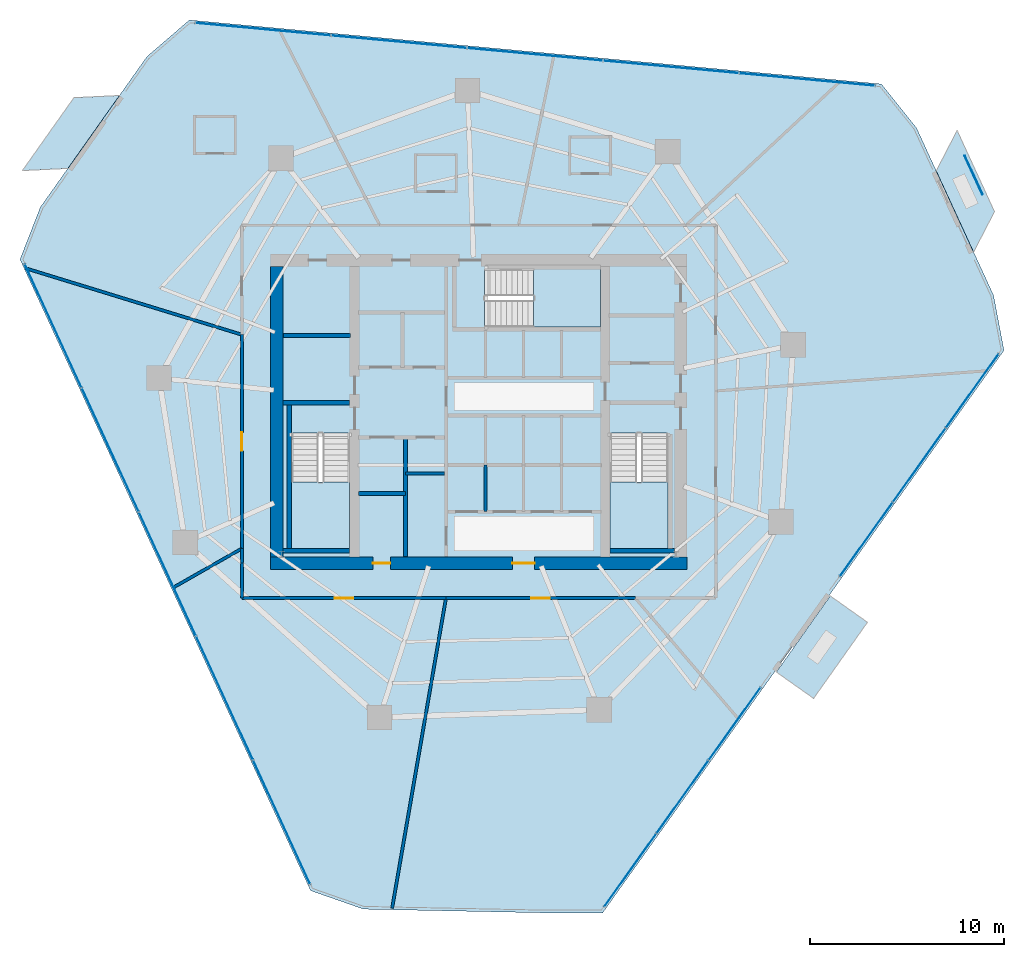
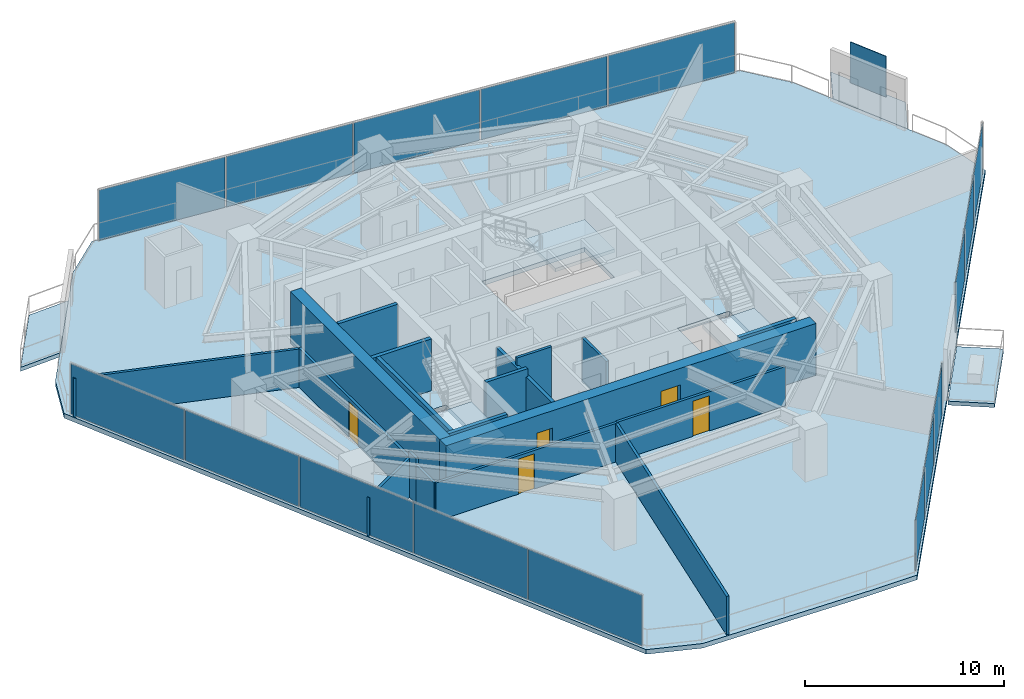
# One storey, part 25 of 30: 19 walls, 17 plates, 7 slabs, 5 doors, 5 openings, 7 elements without a shape of their own.
"""IFC4 building model written with IfcOpenShell, lengths in metres."""

from ifc_helpers import new_model, si_unit, direction, frame, frame_2d, origin, origin_2d, place, context, subcontext, project, spatial, polyline, rectangle, outline, extrude, material, layer, layer_set, type_object, element, fill, aggregate, save


model = new_model("IFC4")

# Units and contexts
model_context = context("Model", 3, precision=1e-05, world=origin(), true_north=direction((0.0, 1.0)))
body_context = subcontext(model_context, "Body", "Model", "MODEL_VIEW")
ifc_project = project(units=[si_unit("LENGTHUNIT", "METRE"), si_unit("AREAUNIT", "SQUARE_METRE"), si_unit("VOLUMEUNIT", "CUBIC_METRE"), si_unit("PLANEANGLEUNIT", "RADIAN"), si_unit("MASSUNIT", "GRAM", prefix="KILO")], contexts=[model_context])

# Site, building, storey
site_placement = place(None, origin())
site = spatial("IfcSite", under=ifc_project, at=site_placement, CompositionType="ELEMENT")
building_placement = place(site_placement, origin())
building = spatial("IfcBuilding", under=site, at=building_placement, Name="Qarnah Convention Tower", CompositionType="ELEMENT")
storey_placement = place(building_placement, frame((0.0, 0.0, 47.699951171875)))
storey = spatial("IfcBuildingStorey", under=building, at=storey_placement, Name="L11", CompositionType="ELEMENT", Elevation=47.699951171875)

# Curtain wall, plates
ifc_material_1 = material(Name="Tempered Low-E dark glass", Category="glass")
ifc_layer_1 = layer(ifc_material_1, 0.16796875)
ifc_layer_set_1 = layer_set([ifc_layer_1], Name="Tempered Low-E dark glass")
curtain_wall_type = type_object("IfcCurtainWallType", Name="CWS-01", PredefinedType="NOTDEFINED", material=ifc_layer_set_1)
curtain_wall_1_placement = place(storey_placement, origin())
curtain_wall_1 = element("IfcCurtainWall", 1, at=curtain_wall_1_placement, inside=storey, type_object=curtain_wall_type, Name="L11 unitised curtain wall CW-L11-F1", PredefinedType="NOTDEFINED")
ifc_layer_2 = layer(ifc_material_1, 0.028076171875)
ifc_layer_set_2 = layer_set([ifc_layer_2], Name="Tempered Low-E dark glass")
plate_type_1 = type_object("IfcPlateType", Name="PNL-T1", PredefinedType="CURTAIN_PANEL", material=ifc_layer_set_2)
plate_1_placement = place(storey_placement, frame((27.052001953125, 5.2626953125, 0.0400390625), z_axis=(0.0, 0.0, 1.0), x_axis=(-0.418208766781, 0.908350938453, 0.0)))
plate_1 = element("IfcPlate", 2, at=plate_1_placement, type_object=plate_type_1, Name="CW-L11-F1 curtain panel 1.1", PredefinedType="CURTAIN_PANEL", context=body_context, shape_type="SweptSolid", body=[
    extrude(rectangle(XDim=6.954345703125, YDim=0.028076171875, at=origin_2d()), origin(), (0.0, 0.0, 1.0), 3.090087890625),
])
plate_2_placement = place(storey_placement, frame((24.1103515625, 11.65234375, 0.0400390625), z_axis=(0.0, 0.0, 1.0), x_axis=(-0.418208766781, 0.908350938453, 0.0)))
plate_2 = element("IfcPlate", 3, at=plate_2_placement, type_object=plate_type_1, Name="CW-L11-F1 curtain panel 2.1", PredefinedType="CURTAIN_PANEL", context=body_context, shape_type="SweptSolid", body=[
    extrude(rectangle(XDim=6.954345703125, YDim=0.028076171875, at=origin_2d()), origin(), (0.0, 0.0, 1.0), 3.090087890625),
])
plate_3_placement = place(storey_placement, frame((21.16845703125, 18.0419921875, 0.0400390625), z_axis=(0.0, 0.0, 1.0), x_axis=(-0.418208766781, 0.908350938453, 0.0)))
plate_3 = element("IfcPlate", 4, at=plate_3_placement, type_object=plate_type_1, Name="CW-L11-F1 curtain panel 3.1", PredefinedType="CURTAIN_PANEL", context=body_context, shape_type="SweptSolid", body=[
    extrude(rectangle(XDim=6.954345703125, YDim=0.028076171875, at=origin_2d()), origin(), (0.0, 0.0, 1.0), 3.090087890625),
])
plate_4_placement = place(storey_placement, frame((18.226806640625, 24.431640625, 0.0400390625), z_axis=(0.0, 0.0, 1.0), x_axis=(-0.418208766781, 0.908350938453, 0.0)))
plate_4 = element("IfcPlate", 5, at=plate_4_placement, type_object=plate_type_1, Name="CW-L11-F1 curtain panel 4.1", PredefinedType="CURTAIN_PANEL", context=body_context, shape_type="SweptSolid", body=[
    extrude(rectangle(XDim=6.954345703125, YDim=0.028076171875, at=origin_2d()), origin(), (0.0, 0.0, 1.0), 3.090087890625),
])
plate_5_placement = place(storey_placement, frame((15.284912109375, 30.8212890625, 0.0400390625), z_axis=(0.0, 0.0, 1.0), x_axis=(-0.418208766781, 0.908350938453, 0.0)))
plate_5 = element("IfcPlate", 6, at=plate_5_placement, type_object=plate_type_1, Name="CW-L11-F1 curtain panel 5.1", PredefinedType="CURTAIN_PANEL", context=body_context, shape_type="SweptSolid", body=[
    extrude(rectangle(XDim=6.954345703125, YDim=0.028076171875, at=origin_2d()), origin(), (0.0, 0.0, 1.0), 3.090087890625),
])
aggregate(curtain_wall_1, [plate_1, plate_2, plate_3, plate_4, plate_5])

curtain_wall_2_placement = place(storey_placement, origin())
curtain_wall_2 = element("IfcCurtainWall", 7, at=curtain_wall_2_placement, inside=storey, type_object=curtain_wall_type, Name="L11 unitised curtain wall CW-L11-F2", PredefinedType="NOTDEFINED")
plate_6_placement = place(storey_placement, frame((26.091064453125, 46.09326171875, 0.0400390625), z_axis=(0.0, 0.0, 1.0), x_axis=(0.995755501183, -0.092037937091, 0.0)))
plate_6 = element("IfcPlate", 8, at=plate_6_placement, type_object=plate_type_1, Name="CW-L11-F2 curtain panel 1.1", PredefinedType="CURTAIN_PANEL", context=body_context, shape_type="SweptSolid", body=[
    extrude(rectangle(XDim=6.9541015625, YDim=0.028076171875, at=origin_2d()), origin(), (0.0, 0.0, 1.0), 3.090087890625),
])
plate_7_placement = place(storey_placement, frame((33.09521484375, 45.44580078125, 0.0400390625), z_axis=(0.0, 0.0, 1.0), x_axis=(0.995755501183, -0.092037937091, 0.0)))
plate_7 = element("IfcPlate", 9, at=plate_7_placement, type_object=plate_type_1, Name="CW-L11-F2 curtain panel 2.1", PredefinedType="CURTAIN_PANEL", context=body_context, shape_type="SweptSolid", body=[
    extrude(rectangle(XDim=6.9541015625, YDim=0.028076171875, at=origin_2d()), origin(), (0.0, 0.0, 1.0), 3.090087890625),
])
plate_8_placement = place(storey_placement, frame((40.099609375, 44.798583984375, 0.0400390625), z_axis=(0.0, 0.0, 1.0), x_axis=(0.995755501183, -0.092037937091, 0.0)))
plate_8 = element("IfcPlate", 10, at=plate_8_placement, type_object=plate_type_1, Name="CW-L11-F2 curtain panel 3.1", PredefinedType="CURTAIN_PANEL", context=body_context, shape_type="SweptSolid", body=[
    extrude(rectangle(XDim=6.9541015625, YDim=0.028076171875, at=origin_2d()), origin(), (0.0, 0.0, 1.0), 3.090087890625),
])
plate_9_placement = place(storey_placement, frame((47.103759765625, 44.151123046875, 0.0400390625), z_axis=(0.0, 0.0, 1.0), x_axis=(0.995755501183, -0.092037937091, 0.0)))
plate_9 = element("IfcPlate", 11, at=plate_9_placement, type_object=plate_type_1, Name="CW-L11-F2 curtain panel 4.1", PredefinedType="CURTAIN_PANEL", context=body_context, shape_type="SweptSolid", body=[
    extrude(rectangle(XDim=6.9541015625, YDim=0.028076171875, at=origin_2d()), origin(), (0.0, 0.0, 1.0), 3.090087890625),
])
plate_10_placement = place(storey_placement, frame((54.10791015625, 43.503662109375, 0.0400390625), z_axis=(0.0, 0.0, 1.0), x_axis=(0.995755501183, -0.092037937091, 0.0)))
plate_10 = element("IfcPlate", 12, at=plate_10_placement, type_object=plate_type_1, Name="CW-L11-F2 curtain panel 5.1", PredefinedType="CURTAIN_PANEL", context=body_context, shape_type="SweptSolid", body=[
    extrude(rectangle(XDim=6.9541015625, YDim=0.028076171875, at=origin_2d()), origin(), (0.0, 0.0, 1.0), 3.090087890625),
])
aggregate(curtain_wall_2, [plate_6, plate_7, plate_8, plate_9, plate_10])

curtain_wall_3_placement = place(storey_placement, origin())
curtain_wall_3 = element("IfcCurtainWall", 13, at=curtain_wall_3_placement, inside=storey, type_object=curtain_wall_type, Name="L11 unitised curtain wall CW-L11-F3", PredefinedType="NOTDEFINED")
plate_11_placement = place(storey_placement, frame((62.59814453125, 27.469482421875, 0.0400390625), z_axis=(0.0, 0.0, 1.0), x_axis=(-0.580808410009, -0.814040288231, 0.0)))
plate_11 = element("IfcPlate", 14, at=plate_11_placement, type_object=plate_type_1, Name="CW-L11-F3 curtain panel 1.1", PredefinedType="CURTAIN_PANEL", context=body_context, shape_type="SweptSolid", body=[
    extrude(rectangle(XDim=4.6162109375, YDim=0.028076171875, at=origin_2d()), origin(), (0.0, 0.0, 1.0), 3.090087890625),
])
plate_12_placement = place(storey_placement, frame((59.87060546875, 23.646484375, 0.0400390625), z_axis=(0.0, 0.0, 1.0), x_axis=(-0.580808410009, -0.814040288231, 0.0)))
plate_12 = element("IfcPlate", 15, at=plate_12_placement, type_object=plate_type_1, Name="CW-L11-F3 curtain panel 2.1", PredefinedType="CURTAIN_PANEL", context=body_context, shape_type="SweptSolid", body=[
    extrude(rectangle(XDim=4.6162109375, YDim=0.028076171875, at=origin_2d()), origin(), (0.0, 0.0, 1.0), 3.090087890625),
])
plate_13_placement = place(storey_placement, frame((57.142822265625, 19.823486328125, 0.0400390625), z_axis=(0.0, 0.0, 1.0), x_axis=(-0.580808410009, -0.814040288231, 0.0)))
plate_13 = element("IfcPlate", 16, at=plate_13_placement, type_object=plate_type_1, Name="CW-L11-F3 curtain panel 3.1", PredefinedType="CURTAIN_PANEL", context=body_context, shape_type="SweptSolid", body=[
    extrude(rectangle(XDim=4.6162109375, YDim=0.028076171875, at=origin_2d()), origin(), (0.0, 0.0, 1.0), 3.090087890625),
])
aggregate(curtain_wall_3, [plate_11, plate_12, plate_13])

curtain_wall_4_placement = place(storey_placement, origin())
curtain_wall_4 = element("IfcCurtainWall", 17, at=curtain_wall_4_placement, inside=storey, type_object=curtain_wall_type, Name="L11 unitised curtain wall CW-L11-F4", PredefinedType="NOTDEFINED")
plate_14_placement = place(storey_placement, frame((50.37255859375, 10.334716796875, 0.0400390625), z_axis=(0.0, 0.0, 1.0), x_axis=(-0.580808992524, -0.814039872613, 0.0)))
plate_14 = element("IfcPlate", 18, at=plate_14_placement, type_object=plate_type_1, Name="CW-L11-F4 curtain panel 1.1", PredefinedType="CURTAIN_PANEL", context=body_context, shape_type="SweptSolid", body=[
    extrude(rectangle(XDim=4.549072265625, YDim=0.028076171875, at=origin_2d()), origin(), (0.0, 0.0, 1.0), 3.090087890625),
])
plate_15_placement = place(storey_placement, frame((47.68408203125, 6.56640625, 0.0400390625), z_axis=(0.0, 0.0, 1.0), x_axis=(-0.580808992524, -0.814039872613, 0.0)))
plate_15 = element("IfcPlate", 19, at=plate_15_placement, type_object=plate_type_1, Name="CW-L11-F4 curtain panel 2.1", PredefinedType="CURTAIN_PANEL", context=body_context, shape_type="SweptSolid", body=[
    extrude(rectangle(XDim=4.549072265625, YDim=0.028076171875, at=origin_2d()), origin(), (0.0, 0.0, 1.0), 3.090087890625),
])
plate_16_placement = place(storey_placement, frame((44.995361328125, 2.798095703125, 0.0400390625), z_axis=(0.0, 0.0, 1.0), x_axis=(-0.580808992524, -0.814039872613, 0.0)))
plate_16 = element("IfcPlate", 20, at=plate_16_placement, type_object=plate_type_1, Name="CW-L11-F4 curtain panel 3.1", PredefinedType="CURTAIN_PANEL", context=body_context, shape_type="SweptSolid", body=[
    extrude(rectangle(XDim=4.549072265625, YDim=0.028076171875, at=origin_2d()), origin(), (0.0, 0.0, 1.0), 3.090087890625),
])
aggregate(curtain_wall_4, [plate_14, plate_15, plate_16])

# Plate
ifc_material_2 = material(Name="Black anodised aluminium", Category="aluminium")
ifc_layer_3 = layer(ifc_material_2, 0.044921875)
ifc_layer_set_3 = layer_set([ifc_layer_3], Name="Black anodised aluminium")
plate_type_2 = type_object("IfcPlateType", Name="SCR-BAL-18", PredefinedType="USERDEFINED", material=ifc_layer_set_3)
plate_17_placement = place(storey_placement, frame((62.672119140625, 38.576904296875, 0.0), z_axis=(0.0, 0.0, 1.0), x_axis=(0.418024046506, -0.908435961718, 0.0)))
element("IfcPlate", 21, at=plate_17_placement, inside=storey, type_object=plate_type_2, Name="L11 perforated desert solar screen BAL-L11-C1", ObjectType="SCREEN", PredefinedType="USERDEFINED", context=body_context, shape_type="SweptSolid", body=[
    extrude(rectangle(XDim=2.199951171875, YDim=0.044921875, at=origin_2d()), origin(), (0.0, 0.0, 1.0), 2.5),
])

# Slabs
ifc_material_3 = material(Name="Concrete C45/55", Category="concrete")
ifc_layer_4 = layer(ifc_material_3, 0.239990234375)
ifc_layer_set_4 = layer_set([ifc_layer_4], Name="Concrete C45/55")
slab_type_1 = type_object("IfcSlabType", Name="SLB-BAL-240", PredefinedType="USERDEFINED", material=ifc_layer_set_4)
slab_1_placement = place(storey_placement, frame((0.0, 0.0, -0.239990234375)))
element("IfcSlab", 22, at=slab_1_placement, inside=storey, type_object=slab_type_1, Name="L11 cantilevered balcony slab BAL-L11-C1", ObjectType="BALCONY", PredefinedType="USERDEFINED", context=body_context, shape_type="SweptSolid", body=[
    extrude(outline(polyline([(61.821044921875, 40.8798828125), (63.743896484375, 36.700927734375), (62.66796875, 34.615966796875), (60.7451171875, 38.7939453125), (61.821044921875, 40.8798828125)])), origin(), (0.0, 0.0, 1.0), 0.239990234375),
])
slab_2_placement = place(storey_placement, frame((0.0, 0.0, -0.239990234375)))
element("IfcSlab", 23, at=slab_2_placement, inside=storey, type_object=slab_type_1, Name="L11 cantilevered balcony slab BAL-L11-C2", ObjectType="BALCONY", PredefinedType="USERDEFINED", context=body_context, shape_type="SweptSolid", body=[
    extrude(outline(polyline([(13.701904296875, 38.81201171875), (16.35791015625, 42.56689453125), (18.701904296875, 42.677978515625), (16.044921875, 38.923095703125), (13.701904296875, 38.81201171875)])), origin(), (0.0, 0.0, 1.0), 0.239990234375),
])
slab_3_placement = place(storey_placement, frame((0.0, 0.0, -0.239990234375)))
element("IfcSlab", 24, at=slab_3_placement, inside=storey, type_object=slab_type_1, Name="L11 cantilevered balcony slab VN-L11", ObjectType="BALCONY", PredefinedType="USERDEFINED", context=body_context, shape_type="SweptSolid", body=[
    extrude(outline(polyline([(55.287109375, 16.91796875), (57.205078125, 15.56005859375), (54.43310546875, 11.64208984375), (52.514892578125, 12.9990234375), (55.287109375, 16.91796875)])), origin(), (0.0, 0.0, 1.0), 0.239990234375),
])

# Stair, slab
ifc_material_4 = material(Name="Concrete C50/60", Category="concrete")
stair_type = type_object("IfcStairType", Name="STR-HTL", PredefinedType="HALF_TURN_STAIR", material=ifc_material_4)
stair_1_placement = place(storey_placement, origin())
stair_1 = element("IfcStair", 25, at=stair_1_placement, inside=storey, type_object=stair_type, Name="L11 Core exit stair ST-1", PredefinedType="HALF_TURN_STAIR")
ifc_layer_5 = layer(ifc_material_4, 0.199951171875)
ifc_layer_set_5 = layer_set([ifc_layer_5], Name="Concrete C50/60")
slab_type_2 = type_object("IfcSlabType", Name="SLB-LANDING-200", PredefinedType="LANDING", material=ifc_layer_set_5)
slab_4_placement = place(storey_placement, frame((0.0, 0.0, 1.525146484375)))
slab_4 = element("IfcSlab", 26, at=slab_4_placement, type_object=slab_type_2, Name="ST-1 landing 1", PredefinedType="LANDING", context=body_context, shape_type="SweptSolid", body=[
    extrude(outline(polyline([(27.550048828125, 22.780029296875), (27.550048828125, 19.35009765625), (30.550048828125, 19.35009765625), (30.550048828125, 22.780029296875), (27.550048828125, 22.780029296875)])), origin(), (0.0, 0.0, 1.0), 0.199951171875),
])
aggregate(stair_1, [slab_4])

stair_2_placement = place(storey_placement, origin())
stair_2 = element("IfcStair", 27, at=stair_2_placement, inside=storey, type_object=stair_type, Name="L11 Core exit stair ST-2", PredefinedType="HALF_TURN_STAIR")
slab_5_placement = place(storey_placement, frame((0.0, 0.0, 1.525146484375)))
slab_5 = element("IfcSlab", 28, at=slab_5_placement, type_object=slab_type_2, Name="ST-2 landing 1", PredefinedType="LANDING", context=body_context, shape_type="SweptSolid", body=[
    extrude(outline(polyline([(43.949951171875, 22.780029296875), (43.949951171875, 19.35009765625), (46.949951171875, 19.35009765625), (46.949951171875, 22.780029296875), (43.949951171875, 22.780029296875)])), origin(), (0.0, 0.0, 1.0), 0.199951171875),
])
aggregate(stair_2, [slab_5])

stair_3_placement = place(storey_placement, origin())
stair_3 = element("IfcStair", 29, at=stair_3_placement, inside=storey, type_object=stair_type, Name="L11 Core exit stair ST-3", PredefinedType="HALF_TURN_STAIR")
slab_6_placement = place(storey_placement, frame((0.0, 0.0, 1.525146484375)))
slab_6 = element("IfcSlab", 30, at=slab_6_placement, type_object=slab_type_2, Name="ST-3 landing 1", PredefinedType="LANDING", context=body_context, shape_type="SweptSolid", body=[
    extrude(outline(polyline([(40.02001953125, 30.75), (43.449951171875, 30.75), (43.449951171875, 33.75), (40.02001953125, 33.75), (40.02001953125, 30.75)])), origin(), (0.0, 0.0, 1.0), 0.199951171875),
])
aggregate(stair_3, [slab_6])

# Slab
ifc_layer_6 = layer(ifc_material_3, 0.280029296875)
ifc_layer_set_6 = layer_set([ifc_layer_6], Name="Concrete C45/55")
slab_type_3 = type_object("IfcSlabType", Name="SLB-TWR-280", PredefinedType="FLOOR", material=ifc_layer_set_6)
slab_7_placement = place(storey_placement, frame((0.0, 0.0, -0.280029296875)))
element("IfcSlab", 31, at=slab_7_placement, inside=storey, type_object=slab_type_3, Name="L11 structural floor slab", PredefinedType="FLOOR", context=body_context, shape_type="SweptSolid", body=[
    extrude(outline(polyline([(57.919921875, 43.27197265625), (22.301025390625, 46.56396484375), (20.114990234375, 44.681884765625), (14.626953125, 36.926025390625), (13.580078125, 34.238037109375), (28.5390625, 1.7451171875), (31.261962890625, 0.79296875), (40.722900390625, 0.60009765625), (43.573974609375, 0.60009765625), (64.23388671875, 29.555908203125), (63.697021484375, 32.39111328125), (59.72412109375, 41.02099609375), (57.919921875, 43.27197265625)]), holes=[polyline([(27.550048828125, 25.300048828125), (27.550048828125, 19.35009765625), (30.550048828125, 19.35009765625), (30.550048828125, 25.300048828125), (27.550048828125, 25.300048828125)]), polyline([(43.949951171875, 25.300048828125), (43.949951171875, 19.35009765625), (46.949951171875, 19.35009765625), (46.949951171875, 25.300048828125), (43.949951171875, 25.300048828125)]), polyline([(37.5, 30.75), (43.449951171875, 30.75), (43.449951171875, 33.75), (37.5, 33.75), (37.5, 30.75)])]), origin(), (0.0, 0.0, 1.0), 0.280029296875),
])

# Wall, openings, doors
ifc_material_5 = material(Name="Concrete C60/75", Category="concrete")
ifc_layer_7 = layer(ifc_material_5, 0.64990234375)
ifc_layer_set_7 = layer_set([ifc_layer_7], Name="Concrete C60/75")
wall_type_1 = type_object("IfcWallType", Name="WL-CORE-650", PredefinedType="SHEAR", material=ifc_layer_set_7)
wall_1_placement = place(storey_placement, frame((26.47509765625, 18.60009765625, 0.0), z_axis=(0.0, 0.0, 1.0), x_axis=(1.0, 0.0, 0.0)))
wall_1 = element("IfcWall", 32, at=wall_1_placement, inside=storey, type_object=wall_type_1, Name="L11 core south shear wall", PredefinedType="SHEAR", context=body_context, shape_type="SweptSolid", body=[
    extrude(rectangle(XDim=21.449951171875, YDim=0.64990234375, at=frame_2d((10.72509765625, 0.0))), origin(), (0.0, 0.0, 1.0), 3.170166015625),
])
opening_1_placement = place(wall_1_placement, frame((12.449951171875, 0.0, 0.0)))
opening_1 = element("IfcOpeningElement", 33, at=opening_1_placement, cuts=wall_1, Name="Opening D-1107", PredefinedType="OPENING", context=body_context, shape_type="SweptSolid", body=[
    extrude(rectangle(XDim=1.14990234375, YDim=2.14990234375, at=frame_2d((0.574951171875, 1.074951171875))), frame((0.0, 0.3349609375, 0.0), z_axis=(0.0, -1.0, 0.0), x_axis=(1.0, 0.0, 0.0)), (0.0, 0.0, 1.0), 0.669921875),
])
opening_2_placement = place(wall_1_placement, frame((5.27490234375, 0.0, 0.0)))
opening_2 = element("IfcOpeningElement", 34, at=opening_2_placement, cuts=wall_1, Name="Opening D-1113", PredefinedType="OPENING", context=body_context, shape_type="SweptSolid", body=[
    extrude(rectangle(XDim=0.89990234375, YDim=2.10009765625, at=frame_2d((0.449951171875, 1.050048828125))), frame((0.0, 0.3349609375, 0.0), z_axis=(0.0, -1.0, 0.0), x_axis=(1.0, 0.0, 0.0)), (0.0, 0.0, 1.0), 0.669921875),
])
ifc_material_6 = material(Name="Structural steel S355JR", Category="steel")
door_type_1 = type_object("IfcDoorType", Name="DT-LOBBY-1150", OperationType="NOTDEFINED", PredefinedType="DOOR", material=ifc_material_6)
door_1_placement = place(opening_1_placement, origin())
door_1 = element("IfcDoor", 35, at=door_1_placement, inside=storey, type_object=door_type_1, Name="Door D-1107", OperationType="SINGLE_SWING_LEFT", OverallHeight=2.14990234375, OverallWidth=1.14990234375, PredefinedType="DOOR", context=body_context, shape_type="SweptSolid", body=[
    extrude(rectangle(XDim=1.14990234375, YDim=2.14990234375, at=frame_2d((0.574951171875, 1.074951171875))), frame((0.0, 0.02490234375, 0.0), z_axis=(0.0, -1.0, 0.0), x_axis=(1.0, 0.0, 0.0)), (0.0, 0.0, 1.0), 0.050048828125),
])
fill(opening_1, door_1)
door_type_2 = type_object("IfcDoorType", Name="DT-RISER-900", OperationType="NOTDEFINED", PredefinedType="DOOR", material=ifc_material_6)
door_2_placement = place(opening_2_placement, origin())
door_2 = element("IfcDoor", 36, at=door_2_placement, inside=storey, type_object=door_type_2, Name="Door D-1113", OperationType="SINGLE_SWING_LEFT", OverallHeight=2.10009765625, OverallWidth=0.89990234375, PredefinedType="DOOR", context=body_context, shape_type="SweptSolid", body=[
    extrude(rectangle(XDim=0.89990234375, YDim=2.10009765625, at=frame_2d((0.449951171875, 1.050048828125))), frame((0.0, 0.02490234375, 0.0), z_axis=(0.0, -1.0, 0.0), x_axis=(1.0, 0.0, 0.0)), (0.0, 0.0, 1.0), 0.050048828125),
])
fill(opening_2, door_2)

# Walls
wall_2_placement = place(storey_placement, frame((26.800048828125, 18.925048828125, 0.0), z_axis=(0.0, 0.0, 1.0), x_axis=(0.0, 1.0, 0.0)))
element("IfcWall", 37, at=wall_2_placement, inside=storey, type_object=wall_type_1, Name="L11 core west shear wall", PredefinedType="SHEAR", context=body_context, shape_type="SweptSolid", body=[
    extrude(rectangle(XDim=14.949951171875, YDim=0.64990234375, at=frame_2d((7.47509765625, 0.0))), origin(), (0.0, 0.0, 1.0), 3.170166015625),
])
ifc_layer_8 = layer(ifc_material_3, 0.199951171875)
ifc_layer_set_8 = layer_set([ifc_layer_8], Name="Concrete C45/55")
wall_type_2 = type_object("IfcWallType", Name="WL-CORE-PART-200", PredefinedType="SOLIDWALL", material=ifc_layer_set_8)
wall_3_placement = place(storey_placement, frame((27.14990234375, 30.320068359375, 0.0), z_axis=(0.0, 0.0, 1.0), x_axis=(1.0, 0.0, 0.0)))
element("IfcWall", 38, at=wall_3_placement, inside=storey, type_object=wall_type_2, Name="L11 interior wall IW-L11-ELRN", PredefinedType="SOLIDWALL", context=body_context, shape_type="SweptSolid", body=[
    extrude(rectangle(XDim=3.4501953125, YDim=0.199951171875, at=frame_2d((1.72509765625, 0.0))), origin(), (0.0, 0.0, 1.0), 3.170166015625),
])
wall_4_placement = place(storey_placement, frame((33.419921875, 18.949951171875, 0.0), z_axis=(0.0, 0.0, 1.0), x_axis=(0.0, 1.0, 0.0)))
element("IfcWall", 39, at=wall_4_placement, inside=storey, type_object=wall_type_2, Name="L11 interior wall IW-L11-SVLE", PredefinedType="SOLIDWALL", context=body_context, shape_type="SweptSolid", body=[
    extrude(rectangle(XDim=6.130126953125, YDim=0.199951171875, at=frame_2d((3.06494140625, 0.0))), origin(), (0.0, 0.0, 1.0), 2.691162109375),
])
wall_5_placement = place(storey_placement, frame((31.0, 22.179931640625, 0.0), z_axis=(0.0, 0.0, 1.0), x_axis=(1.0, 0.0, 0.0)))
element("IfcWall", 40, at=wall_5_placement, inside=storey, type_object=wall_type_2, Name="L11 interior wall IW-L11-SVLS", PredefinedType="SOLIDWALL", context=body_context, shape_type="SweptSolid", body=[
    extrude(rectangle(XDim=2.419921875, YDim=0.199951171875, at=frame_2d((1.2099609375, 0.0))), origin(), (0.0, 0.0, 1.0), 3.170166015625),
])
ifc_layer_9 = layer(ifc_material_5, 0.219970703125)
ifc_layer_set_9 = layer_set([ifc_layer_9], Name="Concrete C60/75")
wall_type_3 = type_object("IfcWallType", Name="WL-CORE-STAIR-220", PredefinedType="SHEAR", material=ifc_layer_set_9)
wall_6_placement = place(storey_placement, frame((27.125, 26.860107421875, 0.0), z_axis=(0.0, 0.0, 1.0), x_axis=(1.0, 0.0, 0.0)))
element("IfcWall", 41, at=wall_6_placement, inside=storey, type_object=wall_type_3, Name="L11 stair shaft shear wall SW-L11-ST1N", PredefinedType="SHEAR", context=body_context, shape_type="SweptSolid", body=[
    extrude(rectangle(XDim=3.425048828125, YDim=0.219970703125, at=frame_2d((1.71240234375, 0.0))), origin(), (0.0, 0.0, 1.0), 3.170166015625),
])
wall_7_placement = place(storey_placement, frame((27.43994140625, 19.35009765625, 0.0), z_axis=(0.0, 0.0, 1.0), x_axis=(0.0, 1.0, 0.0)))
element("IfcWall", 42, at=wall_7_placement, inside=storey, type_object=wall_type_3, Name="L11 stair shaft shear wall SW-L11-ST1W", PredefinedType="SHEAR", context=body_context, shape_type="SweptSolid", body=[
    extrude(rectangle(XDim=7.39990234375, YDim=0.219970703125, at=frame_2d((3.699951171875, 0.0))), origin(), (0.0, 0.0, 1.0), 3.170166015625),
])
wall_8_placement = place(storey_placement, frame((27.125, 19.239990234375, 0.0), z_axis=(0.0, 0.0, 1.0), x_axis=(1.0, 0.0, 0.0)))
element("IfcWall", 43, at=wall_8_placement, inside=storey, type_object=wall_type_3, Name="L11 stair shaft shear wall SW-L11-ST1S", PredefinedType="SHEAR", context=body_context, shape_type="SweptSolid", body=[
    extrude(rectangle(XDim=3.425048828125, YDim=0.219970703125, at=frame_2d((1.71240234375, 0.0))), origin(), (0.0, 0.0, 1.0), 3.170166015625),
])
wall_9_placement = place(storey_placement, frame((43.949951171875, 19.239990234375, 0.0), z_axis=(0.0, 0.0, 1.0), x_axis=(1.0, 0.0, 0.0)))
element("IfcWall", 44, at=wall_9_placement, inside=storey, type_object=wall_type_3, Name="L11 stair shaft shear wall SW-L11-ST2S", PredefinedType="SHEAR", context=body_context, shape_type="SweptSolid", body=[
    extrude(rectangle(XDim=3.324951171875, YDim=0.219970703125, at=frame_2d((1.66259765625, 0.0))), origin(), (0.0, 0.0, 1.0), 3.170166015625),
])
ifc_material_7 = material(Name="Gypsum partition board")
ifc_layer_10 = layer(ifc_material_7, 0.14990234375)
ifc_layer_set_10 = layer_set([ifc_layer_10], Name="Gypsum partition board")
wall_type_4 = type_object("IfcWallType", Name="WL-SUITE-150", PredefinedType="PARTITIONING", material=ifc_layer_set_10)
wall_10_placement = place(storey_placement, frame((33.419921875, 23.219970703125, 0.0), z_axis=(0.0, 0.0, 1.0), x_axis=(1.0, 0.0, 0.0)))
element("IfcWall", 45, at=wall_10_placement, inside=storey, type_object=wall_type_4, Name="L11 interior wall IW-L11-CSV1", PredefinedType="PARTITIONING", context=body_context, shape_type="SweptSolid", body=[
    extrude(rectangle(XDim=2.0, YDim=0.14990234375, at=frame_2d((1.0, 0.0))), origin(), (0.0, 0.0, 1.0), 3.170166015625),
])
wall_11_placement = place(storey_placement, frame((37.550048828125, 21.25, 0.0), z_axis=(0.0, 0.0, 1.0), x_axis=(0.0, 1.0, 0.0)))
element("IfcWall", 46, at=wall_11_placement, inside=storey, type_object=wall_type_4, Name="L11 interior wall IW-L11-PLD1", PredefinedType="PARTITIONING", context=body_context, shape_type="SweptSolid", body=[
    extrude(rectangle(XDim=2.39990234375, YDim=0.14990234375, at=frame_2d((1.199951171875, 0.0))), origin(), (0.0, 0.0, 1.0), 2.691162109375),
])
wall_12_placement = place(storey_placement, frame((13.85302734375, 33.787109375, 0.0), z_axis=(0.0, 0.0, 1.0), x_axis=(0.955941379143, -0.29355762576, 0.0)))
element("IfcWall", 47, at=wall_12_placement, inside=storey, type_object=wall_type_4, Name="L11 interior wall IW-L11-R-22", PredefinedType="PARTITIONING", context=body_context, shape_type="SweptSolid", body=[
    extrude(rectangle(XDim=11.66064453125, YDim=0.14990234375, at=frame_2d((5.830322265625, 0.0))), origin(), (0.0, 0.0, 1.0), 2.35498046875),
])
wall_13_placement = place(storey_placement, frame((21.448974609375, 17.3359375, 0.0), z_axis=(0.0, 0.0, 1.0), x_axis=(0.869205015301, 0.494451859512, 0.0)))
element("IfcWall", 48, at=wall_13_placement, inside=storey, type_object=wall_type_4, Name="L11 interior wall IW-L11-R-26", PredefinedType="PARTITIONING", context=body_context, shape_type="SweptSolid", body=[
    extrude(rectangle(XDim=4.08544921875, YDim=0.14990234375, at=frame_2d((2.042724609375, 0.0))), origin(), (0.0, 0.0, 1.0), 2.35498046875),
])

# Wall, opening, door
wall_14_placement = place(storey_placement, frame((25.0, 19.35595703125, 0.0), z_axis=(0.0, 0.0, 1.0), x_axis=(0.0, 1.0, 0.0)))
wall_14 = element("IfcWall", 49, at=wall_14_placement, inside=storey, type_object=wall_type_4, Name="L11 interior wall IW-L11-R-27", PredefinedType="PARTITIONING", context=body_context, shape_type="SweptSolid", body=[
    extrude(rectangle(XDim=11.008056640625, YDim=0.14990234375, at=frame_2d((5.50390625, 0.0))), origin(), (0.0, 0.0, 1.0), 2.39501953125),
])
opening_3_placement = place(wall_14_placement, frame((5.029052734375, 0.0, 0.0)))
opening_3 = element("IfcOpeningElement", 50, at=opening_3_placement, cuts=wall_14, Name="Opening D-1123", PredefinedType="OPENING", context=body_context, shape_type="SweptSolid", body=[
    extrude(rectangle(XDim=0.949951171875, YDim=2.14990234375, at=frame_2d((0.47509765625, 1.074951171875))), frame((0.0, 0.0849609375, 0.0), z_axis=(0.0, -1.0, 0.0), x_axis=(1.0, 0.0, 0.0)), (0.0, 0.0, 1.0), 0.169921875),
])
ifc_material_8 = material(Name="Oak timber veneer", Category="wood")
door_type_3 = type_object("IfcDoorType", Name="DT-HOTEL-950", OperationType="NOTDEFINED", PredefinedType="DOOR", material=ifc_material_8)
door_3_placement = place(opening_3_placement, origin())
door_3 = element("IfcDoor", 51, at=door_3_placement, inside=storey, type_object=door_type_3, Name="Door D-1123", OperationType="SINGLE_SWING_LEFT", OverallHeight=2.14990234375, OverallWidth=0.949951171875, PredefinedType="DOOR", context=body_context, shape_type="SweptSolid", body=[
    extrude(rectangle(XDim=0.949951171875, YDim=2.14990234375, at=frame_2d((0.47509765625, 1.074951171875))), frame((0.0, 0.02490234375, 0.0), z_axis=(0.0, -1.0, 0.0), x_axis=(1.0, 0.0, 0.0)), (0.0, 0.0, 1.0), 0.050048828125),
])
fill(opening_3, door_3)

# Wall
wall_15_placement = place(storey_placement, frame((32.737060546875, 0.842041015625, 0.0), z_axis=(0.0, 0.0, 1.0), x_axis=(0.171024372655, 0.985266798364, 0.0)))
element("IfcWall", 52, at=wall_15_placement, inside=storey, type_object=wall_type_4, Name="L11 interior wall IW-L11-R-28", PredefinedType="PARTITIONING", context=body_context, shape_type="SweptSolid", body=[
    extrude(rectangle(XDim=16.196533203125, YDim=0.14990234375, at=frame_2d((8.09814453125, 0.0))), origin(), (0.0, 0.0, 1.0), 2.35498046875),
])

# Wall, opening, door
wall_16_placement = place(storey_placement, frame((35.507080078125, 16.800048828125, 0.0), z_axis=(0.0, 0.0, 1.0), x_axis=(-1.0, 0.0, 0.0)))
wall_16 = element("IfcWall", 53, at=wall_16_placement, inside=storey, type_object=wall_type_4, Name="L11 interior wall IW-L11-R-29", PredefinedType="PARTITIONING", context=body_context, shape_type="SweptSolid", body=[
    extrude(rectangle(XDim=10.507080078125, YDim=0.14990234375, at=frame_2d((5.25341796875, 0.0))), origin(), (0.0, 0.0, 1.0), 2.35498046875),
])
opening_4_placement = place(wall_16_placement, frame((4.778076171875, 0.0, 0.0)))
opening_4 = element("IfcOpeningElement", 54, at=opening_4_placement, cuts=wall_16, Name="Opening D-1124", PredefinedType="OPENING", context=body_context, shape_type="SweptSolid", body=[
    extrude(rectangle(XDim=0.949951171875, YDim=2.14990234375, at=frame_2d((0.47509765625, 1.074951171875))), frame((0.0, 0.0849609375, 0.0), z_axis=(0.0, -1.0, 0.0), x_axis=(1.0, 0.0, 0.0)), (0.0, 0.0, 1.0), 0.169921875),
])
door_4_placement = place(opening_4_placement, origin())
door_4 = element("IfcDoor", 55, at=door_4_placement, inside=storey, type_object=door_type_3, Name="Door D-1124", OperationType="SINGLE_SWING_RIGHT", OverallHeight=2.14990234375, OverallWidth=0.949951171875, PredefinedType="DOOR", context=body_context, shape_type="SweptSolid", body=[
    extrude(rectangle(XDim=0.949951171875, YDim=2.14990234375, at=frame_2d((0.47509765625, 1.074951171875))), frame((0.0, 0.02490234375, 0.0), z_axis=(0.0, -1.0, 0.0), x_axis=(1.0, 0.0, 0.0)), (0.0, 0.0, 1.0), 0.050048828125),
])
fill(opening_4, door_4)

# Walls
wall_17_placement = place(storey_placement, frame((25.0, 16.800048828125, 0.0), z_axis=(0.0, 0.0, 1.0), x_axis=(0.0, 1.0, 0.0)))
element("IfcWall", 56, at=wall_17_placement, inside=storey, type_object=wall_type_4, Name="L11 interior wall IW-L11-R-30", PredefinedType="PARTITIONING", context=body_context, shape_type="SweptSolid", body=[
    extrude(rectangle(XDim=1.800048828125, YDim=0.14990234375, at=frame_2d((0.89990234375, 0.0))), origin(), (0.0, 0.0, 1.0), 2.35498046875),
])
wall_18_placement = place(storey_placement, frame((25.0, 18.60009765625, 0.0), z_axis=(0.0, 0.0, 1.0), x_axis=(0.0, 1.0, 0.0)))
element("IfcWall", 57, at=wall_18_placement, inside=storey, type_object=wall_type_4, Name="L11 interior wall IW-L11-R-31", PredefinedType="PARTITIONING", context=body_context, shape_type="SweptSolid", body=[
    extrude(rectangle(XDim=0.755859375, YDim=0.14990234375, at=frame_2d((0.3779296875, 0.0))), origin(), (0.0, 0.0, 1.0), 2.7470703125),
])

# Wall, opening, door
wall_19_placement = place(storey_placement, frame((45.2548828125, 16.800048828125, 0.0), z_axis=(0.0, 0.0, 1.0), x_axis=(-1.0, 0.0, 0.0)))
wall_19 = element("IfcWall", 58, at=wall_19_placement, inside=storey, type_object=wall_type_4, Name="L11 interior wall IW-L11-R-33", PredefinedType="PARTITIONING", context=body_context, shape_type="SweptSolid", body=[
    extrude(rectangle(XDim=9.747802734375, YDim=0.14990234375, at=frame_2d((4.8740234375, 0.0))), origin(), (0.0, 0.0, 1.0), 2.39501953125),
])
opening_5_placement = place(wall_19_placement, frame((4.39892578125, 0.0, 0.0)))
opening_5 = element("IfcOpeningElement", 59, at=opening_5_placement, cuts=wall_19, Name="Opening D-1125", PredefinedType="OPENING", context=body_context, shape_type="SweptSolid", body=[
    extrude(rectangle(XDim=0.949951171875, YDim=2.14990234375, at=frame_2d((0.47509765625, 1.074951171875))), frame((0.0, 0.0849609375, 0.0), z_axis=(0.0, -1.0, 0.0), x_axis=(1.0, 0.0, 0.0)), (0.0, 0.0, 1.0), 0.169921875),
])
door_5_placement = place(opening_5_placement, origin())
door_5 = element("IfcDoor", 60, at=door_5_placement, inside=storey, type_object=door_type_3, Name="Door D-1125", OperationType="SINGLE_SWING_LEFT", OverallHeight=2.14990234375, OverallWidth=0.949951171875, PredefinedType="DOOR", context=body_context, shape_type="SweptSolid", body=[
    extrude(rectangle(XDim=0.949951171875, YDim=2.14990234375, at=frame_2d((0.47509765625, 1.074951171875))), frame((0.0, 0.02490234375, 0.0), z_axis=(0.0, -1.0, 0.0), x_axis=(1.0, 0.0, 0.0)), (0.0, 0.0, 1.0), 0.050048828125),
])
fill(opening_5, door_5)

save(model, "model.ifc")
